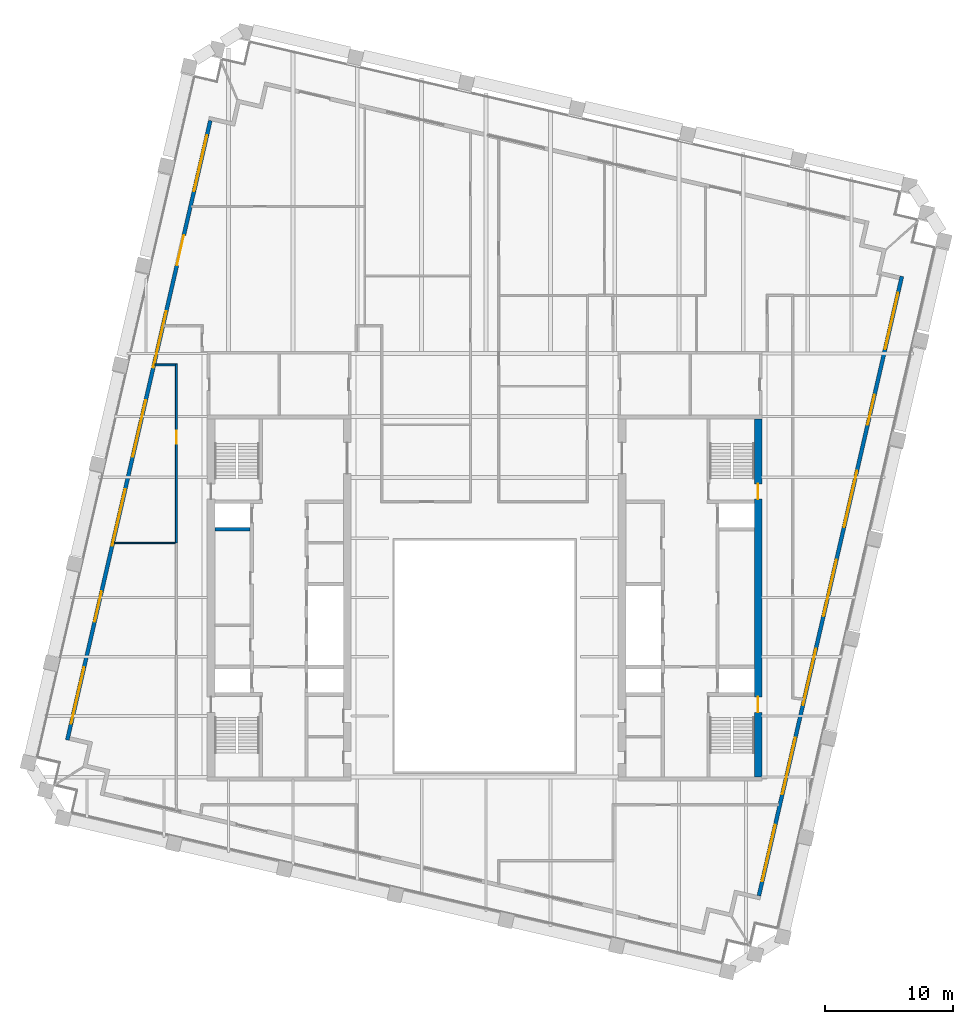
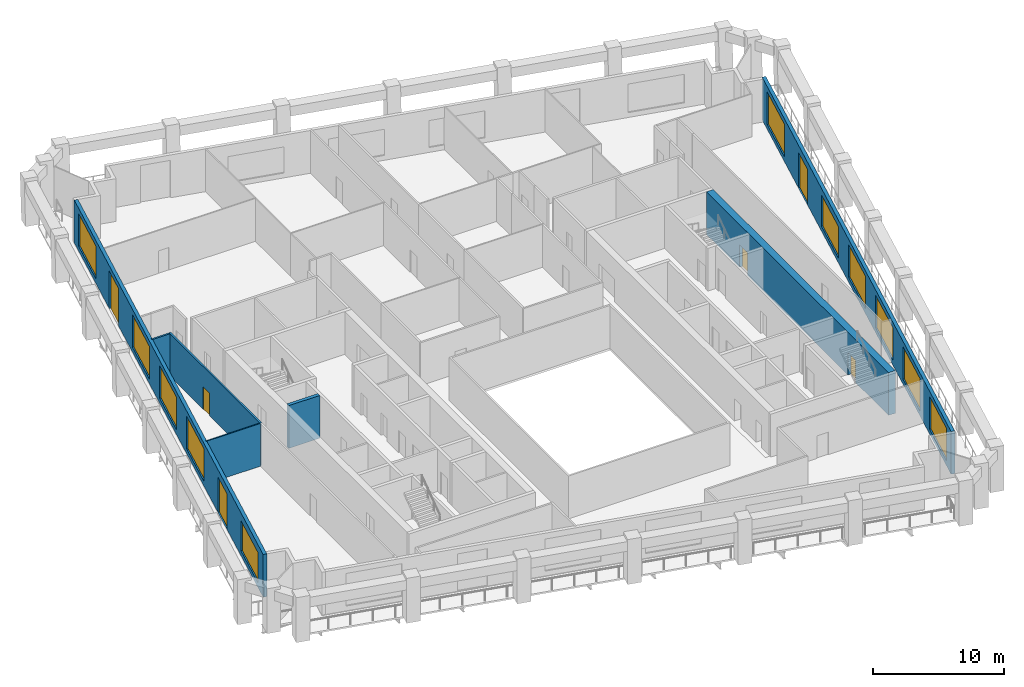
# One storey, part 6 of 11: 11 windows, 7 walls, 6 doors, 17 openings.
"""IFC4 building model written with IfcOpenShell, lengths in metres."""

from ifc_helpers import new_model, si_unit, direction, frame, frame_2d, origin, place, context, subcontext, project, spatial, rectangle, extrude, material, layer, layer_set, type_object, element, fill, save


model = new_model("IFC4")

# Units and contexts
model_context = context("Model", 3, precision=1e-05, world=origin(), true_north=direction((0.0, 1.0)))
body_context = subcontext(model_context, "Body", "Model", "MODEL_VIEW")
ifc_project = project(units=[si_unit("LENGTHUNIT", "METRE"), si_unit("AREAUNIT", "SQUARE_METRE"), si_unit("VOLUMEUNIT", "CUBIC_METRE"), si_unit("PLANEANGLEUNIT", "RADIAN"), si_unit("MASSUNIT", "GRAM", prefix="KILO")], contexts=[model_context])

# Site, building, storey
site_placement = place(None, origin())
site = spatial("IfcSite", under=ifc_project, at=site_placement, CompositionType="ELEMENT")
building_placement = place(site_placement, origin())
building = spatial("IfcBuilding", under=site, at=building_placement, Name="Ogive Exchange Tower", CompositionType="ELEMENT")
storey_placement = place(building_placement, frame((0.0, 0.0, 247.199951171875)))
storey = spatial("IfcBuildingStorey", under=building, at=storey_placement, Name="L53", CompositionType="ELEMENT", Elevation=247.199951171875)

# Wall, opening, door
ifc_material_1 = material(Name="Fire partition EI 60 150")
ifc_layer_1 = layer(ifc_material_1, 0.14990234375)
ifc_layer_set_1 = layer_set([ifc_layer_1], Name="Fire partition EI 60 150")
wall_type_1 = type_object("IfcWallType", Name="Fire partition EI 60 150", PredefinedType="PARTITIONING", material=ifc_layer_set_1)
wall_1_placement = place(storey_placement, frame((-24.0, 15.7900390625, 0.0), z_axis=(0.0, 0.0, 1.0), x_axis=(0.0, 1.0, 0.0)))
wall_1 = element("IfcWall", 1, at=wall_1_placement, inside=storey, type_object=wall_type_1, Name="L53-PWL-004", PredefinedType="PARTITIONING", context=body_context, shape_type="SweptSolid", body=[
    extrude(rectangle(XDim=13.945068359375, YDim=0.14990234375, at=frame_2d((6.97265625, 0.0))), origin(), (0.0, 0.0, 1.0), 4.0),
])
opening_1_placement = place(wall_1_placement, frame((7.719970703125, 0.0, 0.0)))
opening_1 = element("IfcOpeningElement", 2, at=opening_1_placement, cuts=wall_1, Name="Opening L53-I04", PredefinedType="OPENING", context=body_context, shape_type="SweptSolid", body=[
    extrude(rectangle(XDim=1.0, YDim=2.10009765625, at=frame_2d((0.5, 1.050048828125))), frame((0.0, 0.0849609375, 0.0), z_axis=(0.0, -1.0, 0.0), x_axis=(1.0, 0.0, 0.0)), (0.0, 0.0, 1.0), 0.169921875),
])
ifc_material_2 = material(Name="Fire door FD 30S 1000 x 2100")
door_type_1 = type_object("IfcDoorType", Name="Fire door FD 30S 1000 x 2100", OperationType="NOTDEFINED", PredefinedType="DOOR", material=ifc_material_2)
door_1_placement = place(opening_1_placement, origin())
door_1 = element("IfcDoor", 3, at=door_1_placement, inside=storey, type_object=door_type_1, Name="L53-IDR-004", ObjectType="DT3", OperationType="SINGLE_SWING_LEFT", OverallHeight=2.10009765625, OverallWidth=1.0, PredefinedType="DOOR", context=body_context, shape_type="SweptSolid", body=[
    extrude(rectangle(XDim=1.0, YDim=2.10009765625, at=frame_2d((0.5, 1.050048828125))), frame((0.0, 0.02490234375, 0.0), z_axis=(0.0, -1.0, 0.0), x_axis=(1.0, 0.0, 0.0)), (0.0, 0.0, 1.0), 0.050048828125),
])
fill(opening_1, door_1)

# Wall
wall_2_placement = place(storey_placement, frame((-24.074951171875, 29.659912109375, 0.0), z_axis=(0.0, 0.0, 1.0), x_axis=(-1.0, 0.0, 0.0)))
element("IfcWall", 4, at=wall_2_placement, inside=storey, type_object=wall_type_1, Name="L53-PWL-005", PredefinedType="PARTITIONING", context=body_context, shape_type="SweptSolid", body=[
    extrude(rectangle(XDim=1.60302734375, YDim=0.14990234375, at=frame_2d((0.801513671875, 0.0))), origin(), (0.0, 0.0, 1.0), 4.0),
])

# Wall, openings, door, windows
ifc_material_3 = material(Name="Precast concrete C40/50", Category="concrete")
ifc_layer_2 = layer(ifc_material_3, 0.300048828125)
ifc_layer_set_2 = layer_set([ifc_layer_2], Name="Limestone-faced wall 300")
wall_type_2 = type_object("IfcWallType", Name="Limestone-faced wall 300", PredefinedType="STANDARD", material=ifc_layer_set_2)
wall_3_placement = place(storey_placement, frame((21.35888671875, -11.67822265625, 0.0), z_axis=(0.0, 0.0, 1.0), x_axis=(0.224949198343, 0.974370493275, 0.0)))
wall_3 = element("IfcWall", 5, at=wall_3_placement, inside=storey, type_object=wall_type_2, Name="External wall E2", PredefinedType="STANDARD", context=body_context, shape_type="SweptSolid", body=[
    extrude(rectangle(XDim=49.5, YDim=0.300048828125, at=frame_2d((24.75, 0.0))), origin(), (0.0, 0.0, 1.0), 4.0),
])
opening_2_placement = place(wall_3_placement, frame((1.156982421875, 0.0, 0.449951171875)))
opening_2 = element("IfcOpeningElement", 6, at=opening_2_placement, cuts=wall_3, Name="Opening W1", PredefinedType="OPENING", context=body_context, shape_type="SweptSolid", body=[
    extrude(rectangle(XDim=4.5, YDim=3.050048828125, at=frame_2d((2.25, 1.52490234375))), frame((0.0, 0.159912109375, 0.0), z_axis=(0.0, -1.0, 0.0), x_axis=(1.0, 0.0, 0.0)), (0.0, 0.0, 1.0), 0.320068359375),
])
opening_3_placement = place(wall_3_placement, frame((8.121337890625, 0.0, 0.449951171875)))
opening_3 = element("IfcOpeningElement", 7, at=opening_3_placement, cuts=wall_3, Name="Opening W1", PredefinedType="OPENING", context=body_context, shape_type="SweptSolid", body=[
    extrude(rectangle(XDim=4.5, YDim=3.050048828125, at=frame_2d((2.25, 1.52490234375))), frame((0.0, 0.159912109375, 0.0), z_axis=(0.0, -1.0, 0.0), x_axis=(1.0, 0.0, 0.0)), (0.0, 0.0, 1.0), 0.320068359375),
])
opening_4_placement = place(wall_3_placement, frame((15.235595703125, 0.0, 0.449951171875)))
opening_4 = element("IfcOpeningElement", 8, at=opening_4_placement, cuts=wall_3, Name="Opening W1", PredefinedType="OPENING", context=body_context, shape_type="SweptSolid", body=[
    extrude(rectangle(XDim=4.5, YDim=3.050048828125, at=frame_2d((2.25, 1.52490234375))), frame((0.0, 0.159912109375, 0.0), z_axis=(0.0, -1.0, 0.0), x_axis=(1.0, 0.0, 0.0)), (0.0, 0.0, 1.0), 0.320068359375),
])
opening_5_placement = place(wall_3_placement, frame((22.35009765625, 0.0, 0.449951171875)))
opening_5 = element("IfcOpeningElement", 9, at=opening_5_placement, cuts=wall_3, Name="Opening W1", PredefinedType="OPENING", context=body_context, shape_type="SweptSolid", body=[
    extrude(rectangle(XDim=4.5, YDim=3.050048828125, at=frame_2d((2.25, 1.52490234375))), frame((0.0, 0.159912109375, 0.0), z_axis=(0.0, -1.0, 0.0), x_axis=(1.0, 0.0, 0.0)), (0.0, 0.0, 1.0), 0.320068359375),
])
opening_6_placement = place(wall_3_placement, frame((29.464111328125, 0.0, 0.449951171875)))
opening_6 = element("IfcOpeningElement", 10, at=opening_6_placement, cuts=wall_3, Name="Opening W1B", PredefinedType="OPENING", context=body_context, shape_type="SweptSolid", body=[
    extrude(rectangle(XDim=4.5, YDim=2.949951171875, at=frame_2d((2.25, 1.47509765625))), frame((0.0, 0.159912109375, 0.0), z_axis=(0.0, -1.0, 0.0), x_axis=(1.0, 0.0, 0.0)), (0.0, 0.0, 1.0), 0.320068359375),
])
opening_7_placement = place(wall_3_placement, frame((37.62841796875, 0.0, 0.0)))
opening_7 = element("IfcOpeningElement", 11, at=opening_7_placement, cuts=wall_3, Name="Opening D1C", PredefinedType="OPENING", context=body_context, shape_type="SweptSolid", body=[
    extrude(rectangle(XDim=2.39990234375, YDim=3.324951171875, at=frame_2d((1.199951171875, 1.66259765625))), frame((0.0, 0.159912109375, 0.0), z_axis=(0.0, -1.0, 0.0), x_axis=(1.0, 0.0, 0.0)), (0.0, 0.0, 1.0), 0.320068359375),
])
opening_8_placement = place(wall_3_placement, frame((43.69287109375, 0.0, 0.449951171875)))
opening_8 = element("IfcOpeningElement", 12, at=opening_8_placement, cuts=wall_3, Name="Opening W1", PredefinedType="OPENING", context=body_context, shape_type="SweptSolid", body=[
    extrude(rectangle(XDim=4.5, YDim=3.050048828125, at=frame_2d((2.25, 1.52490234375))), frame((0.0, 0.159912109375, 0.0), z_axis=(0.0, -1.0, 0.0), x_axis=(1.0, 0.0, 0.0)), (0.0, 0.0, 1.0), 0.320068359375),
])
ifc_material_4 = material(Name="Clear glass in bronze frame", Category="glass")
door_type_2 = type_object("IfcDoorType", Name="Sliding loggia door 2400 x 3325", OperationType="DOUBLE_DOOR_SLIDING", PredefinedType="DOOR", material=ifc_material_4)
door_2_placement = place(opening_7_placement, origin())
door_2 = element("IfcDoor", 13, at=door_2_placement, inside=storey, type_object=door_type_2, Name="Loggia door E05", OperationType="DOUBLE_DOOR_SLIDING", OverallHeight=3.324951171875, OverallWidth=2.39990234375, PredefinedType="DOOR", context=body_context, shape_type="SweptSolid", body=[
    extrude(rectangle(XDim=2.39990234375, YDim=3.324951171875, at=frame_2d((1.199951171875, 1.66259765625))), frame((0.0, 0.02490234375, 0.0), z_axis=(0.0, -1.0, 0.0), x_axis=(1.0, 0.0, 0.0)), (0.0, 0.0, 1.0), 0.050048828125),
])
fill(opening_7, door_2)
window_type_1 = type_object("IfcWindowType", Name="Twin lancet window 4500 x 2950", PartitioningType="DOUBLE_PANEL_VERTICAL", PredefinedType="WINDOW", material=ifc_material_4)
window_1_placement = place(opening_6_placement, origin())
window_1 = element("IfcWindow", 14, at=window_1_placement, inside=storey, type_object=window_type_1, Name="Window E04", OverallHeight=2.949951171875, OverallWidth=4.5, PartitioningType="DOUBLE_PANEL_VERTICAL", PredefinedType="WINDOW", context=body_context, shape_type="SweptSolid", body=[
    extrude(rectangle(XDim=4.5, YDim=2.949951171875, at=frame_2d((2.25, 1.47509765625))), frame((0.0, 0.030029296875, 0.0), z_axis=(0.0, -1.0, 0.0), x_axis=(1.0, 0.0, 0.0)), (0.0, 0.0, 1.0), 0.06005859375),
])
fill(opening_6, window_1)
window_type_2 = type_object("IfcWindowType", Name="Twin lancet window 4500 x 3050", PartitioningType="DOUBLE_PANEL_VERTICAL", PredefinedType="WINDOW", material=ifc_material_4)
window_2_placement = place(opening_2_placement, origin())
window_2 = element("IfcWindow", 15, at=window_2_placement, inside=storey, type_object=window_type_2, Name="Window E00", OverallHeight=3.050048828125, OverallWidth=4.5, PartitioningType="DOUBLE_PANEL_VERTICAL", PredefinedType="WINDOW", context=body_context, shape_type="SweptSolid", body=[
    extrude(rectangle(XDim=4.5, YDim=3.050048828125, at=frame_2d((2.25, 1.52490234375))), frame((0.0, 0.030029296875, 0.0), z_axis=(0.0, -1.0, 0.0), x_axis=(1.0, 0.0, 0.0)), (0.0, 0.0, 1.0), 0.06005859375),
])
fill(opening_2, window_2)
window_3_placement = place(opening_3_placement, origin())
window_3 = element("IfcWindow", 16, at=window_3_placement, inside=storey, type_object=window_type_2, Name="Window E01", OverallHeight=3.050048828125, OverallWidth=4.5, PartitioningType="DOUBLE_PANEL_VERTICAL", PredefinedType="WINDOW", context=body_context, shape_type="SweptSolid", body=[
    extrude(rectangle(XDim=4.5, YDim=3.050048828125, at=frame_2d((2.25, 1.52490234375))), frame((0.0, 0.030029296875, 0.0), z_axis=(0.0, -1.0, 0.0), x_axis=(1.0, 0.0, 0.0)), (0.0, 0.0, 1.0), 0.06005859375),
])
fill(opening_3, window_3)
window_4_placement = place(opening_4_placement, origin())
window_4 = element("IfcWindow", 17, at=window_4_placement, inside=storey, type_object=window_type_2, Name="Window E02", OverallHeight=3.050048828125, OverallWidth=4.5, PartitioningType="DOUBLE_PANEL_VERTICAL", PredefinedType="WINDOW", context=body_context, shape_type="SweptSolid", body=[
    extrude(rectangle(XDim=4.5, YDim=3.050048828125, at=frame_2d((2.25, 1.52490234375))), frame((0.0, 0.030029296875, 0.0), z_axis=(0.0, -1.0, 0.0), x_axis=(1.0, 0.0, 0.0)), (0.0, 0.0, 1.0), 0.06005859375),
])
fill(opening_4, window_4)
window_5_placement = place(opening_5_placement, origin())
window_5 = element("IfcWindow", 18, at=window_5_placement, inside=storey, type_object=window_type_2, Name="Window E03", OverallHeight=3.050048828125, OverallWidth=4.5, PartitioningType="DOUBLE_PANEL_VERTICAL", PredefinedType="WINDOW", context=body_context, shape_type="SweptSolid", body=[
    extrude(rectangle(XDim=4.5, YDim=3.050048828125, at=frame_2d((2.25, 1.52490234375))), frame((0.0, 0.030029296875, 0.0), z_axis=(0.0, -1.0, 0.0), x_axis=(1.0, 0.0, 0.0)), (0.0, 0.0, 1.0), 0.06005859375),
])
fill(opening_5, window_5)
window_6_placement = place(opening_8_placement, origin())
window_6 = element("IfcWindow", 19, at=window_6_placement, inside=storey, type_object=window_type_2, Name="Window E06", OverallHeight=3.050048828125, OverallWidth=4.5, PartitioningType="DOUBLE_PANEL_VERTICAL", PredefinedType="WINDOW", context=body_context, shape_type="SweptSolid", body=[
    extrude(rectangle(XDim=4.5, YDim=3.050048828125, at=frame_2d((2.25, 1.52490234375))), frame((0.0, 0.030029296875, 0.0), z_axis=(0.0, -1.0, 0.0), x_axis=(1.0, 0.0, 0.0)), (0.0, 0.0, 1.0), 0.06005859375),
])
fill(opening_8, window_6)

# Wall, openings, doors, windows
wall_4_placement = place(storey_placement, frame((-21.35888671875, 48.67822265625, 0.0), z_axis=(0.0, 0.0, 1.0), x_axis=(-0.224949198343, -0.974370493275, 0.0)))
wall_4 = element("IfcWall", 20, at=wall_4_placement, inside=storey, type_object=wall_type_2, Name="External wall W4", PredefinedType="STANDARD", context=body_context, shape_type="SweptSolid", body=[
    extrude(rectangle(XDim=49.5, YDim=0.300048828125, at=frame_2d((24.75, 0.0))), origin(), (0.0, 0.0, 1.0), 4.0),
])
opening_9_placement = place(wall_4_placement, frame((1.156982421875, 0.0, 0.449951171875)))
opening_9 = element("IfcOpeningElement", 21, at=opening_9_placement, cuts=wall_4, Name="Opening W1", PredefinedType="OPENING", context=body_context, shape_type="SweptSolid", body=[
    extrude(rectangle(XDim=4.5, YDim=3.050048828125, at=frame_2d((2.25, 1.52490234375))), frame((0.0, 0.159912109375, 0.0), z_axis=(0.0, -1.0, 0.0), x_axis=(1.0, 0.0, 0.0)), (0.0, 0.0, 1.0), 0.320068359375),
])
opening_10_placement = place(wall_4_placement, frame((9.17138671875, 0.0, 0.0)))
opening_10 = element("IfcOpeningElement", 22, at=opening_10_placement, cuts=wall_4, Name="Opening D1", PredefinedType="OPENING", context=body_context, shape_type="SweptSolid", body=[
    extrude(rectangle(XDim=2.39990234375, YDim=3.5, at=frame_2d((1.199951171875, 1.75))), frame((0.0, 0.159912109375, 0.0), z_axis=(0.0, -1.0, 0.0), x_axis=(1.0, 0.0, 0.0)), (0.0, 0.0, 1.0), 0.320068359375),
])
opening_11_placement = place(wall_4_placement, frame((15.235595703125, 0.0, 0.449951171875)))
opening_11 = element("IfcOpeningElement", 23, at=opening_11_placement, cuts=wall_4, Name="Opening W1", PredefinedType="OPENING", context=body_context, shape_type="SweptSolid", body=[
    extrude(rectangle(XDim=4.5, YDim=3.050048828125, at=frame_2d((2.25, 1.52490234375))), frame((0.0, 0.159912109375, 0.0), z_axis=(0.0, -1.0, 0.0), x_axis=(1.0, 0.0, 0.0)), (0.0, 0.0, 1.0), 0.320068359375),
])
opening_12_placement = place(wall_4_placement, frame((22.35009765625, 0.0, 0.449951171875)))
opening_12 = element("IfcOpeningElement", 24, at=opening_12_placement, cuts=wall_4, Name="Opening W1", PredefinedType="OPENING", context=body_context, shape_type="SweptSolid", body=[
    extrude(rectangle(XDim=4.5, YDim=3.050048828125, at=frame_2d((2.25, 1.52490234375))), frame((0.0, 0.159912109375, 0.0), z_axis=(0.0, -1.0, 0.0), x_axis=(1.0, 0.0, 0.0)), (0.0, 0.0, 1.0), 0.320068359375),
])
opening_13_placement = place(wall_4_placement, frame((29.464111328125, 0.0, 0.449951171875)))
opening_13 = element("IfcOpeningElement", 25, at=opening_13_placement, cuts=wall_4, Name="Opening W1", PredefinedType="OPENING", context=body_context, shape_type="SweptSolid", body=[
    extrude(rectangle(XDim=4.5, YDim=3.050048828125, at=frame_2d((2.25, 1.52490234375))), frame((0.0, 0.159912109375, 0.0), z_axis=(0.0, -1.0, 0.0), x_axis=(1.0, 0.0, 0.0)), (0.0, 0.0, 1.0), 0.320068359375),
])
opening_14_placement = place(wall_4_placement, frame((37.62841796875, 0.0, 0.0)))
opening_14 = element("IfcOpeningElement", 26, at=opening_14_placement, cuts=wall_4, Name="Opening D1C", PredefinedType="OPENING", context=body_context, shape_type="SweptSolid", body=[
    extrude(rectangle(XDim=2.39990234375, YDim=3.324951171875, at=frame_2d((1.199951171875, 1.66259765625))), frame((0.0, 0.159912109375, 0.0), z_axis=(0.0, -1.0, 0.0), x_axis=(1.0, 0.0, 0.0)), (0.0, 0.0, 1.0), 0.320068359375),
])
opening_15_placement = place(wall_4_placement, frame((43.69287109375, 0.0, 0.449951171875)))
opening_15 = element("IfcOpeningElement", 27, at=opening_15_placement, cuts=wall_4, Name="Opening W1E", PredefinedType="OPENING", context=body_context, shape_type="SweptSolid", body=[
    extrude(rectangle(XDim=4.5, YDim=2.824951171875, at=frame_2d((2.25, 1.41259765625))), frame((0.0, 0.159912109375, 0.0), z_axis=(0.0, -1.0, 0.0), x_axis=(1.0, 0.0, 0.0)), (0.0, 0.0, 1.0), 0.320068359375),
])
door_3_placement = place(opening_14_placement, origin())
door_3 = element("IfcDoor", 28, at=door_3_placement, inside=storey, type_object=door_type_2, Name="Loggia door W05", OperationType="DOUBLE_DOOR_SLIDING", OverallHeight=3.324951171875, OverallWidth=2.39990234375, PredefinedType="DOOR", context=body_context, shape_type="SweptSolid", body=[
    extrude(rectangle(XDim=2.39990234375, YDim=3.324951171875, at=frame_2d((1.199951171875, 1.66259765625))), frame((0.0, 0.02490234375, 0.0), z_axis=(0.0, -1.0, 0.0), x_axis=(1.0, 0.0, 0.0)), (0.0, 0.0, 1.0), 0.050048828125),
])
fill(opening_14, door_3)
door_type_3 = type_object("IfcDoorType", Name="Sliding loggia door 2400 x 3500", OperationType="DOUBLE_DOOR_SLIDING", PredefinedType="DOOR", material=ifc_material_4)
door_4_placement = place(opening_10_placement, origin())
door_4 = element("IfcDoor", 29, at=door_4_placement, inside=storey, type_object=door_type_3, Name="Loggia door W01", OperationType="DOUBLE_DOOR_SLIDING", OverallHeight=3.5, OverallWidth=2.39990234375, PredefinedType="DOOR", context=body_context, shape_type="SweptSolid", body=[
    extrude(rectangle(XDim=2.39990234375, YDim=3.5, at=frame_2d((1.199951171875, 1.75))), frame((0.0, 0.02490234375, 0.0), z_axis=(0.0, -1.0, 0.0), x_axis=(1.0, 0.0, 0.0)), (0.0, 0.0, 1.0), 0.050048828125),
])
fill(opening_10, door_4)
window_type_3 = type_object("IfcWindowType", Name="Twin lancet window 4500 x 2825", PartitioningType="DOUBLE_PANEL_VERTICAL", PredefinedType="WINDOW", material=ifc_material_4)
window_7_placement = place(opening_15_placement, origin())
window_7 = element("IfcWindow", 30, at=window_7_placement, inside=storey, type_object=window_type_3, Name="Window W06", OverallHeight=2.824951171875, OverallWidth=4.5, PartitioningType="DOUBLE_PANEL_VERTICAL", PredefinedType="WINDOW", context=body_context, shape_type="SweptSolid", body=[
    extrude(rectangle(XDim=4.5, YDim=2.824951171875, at=frame_2d((2.25, 1.41259765625))), frame((0.0, 0.030029296875, 0.0), z_axis=(0.0, -1.0, 0.0), x_axis=(1.0, 0.0, 0.0)), (0.0, 0.0, 1.0), 0.06005859375),
])
fill(opening_15, window_7)
window_8_placement = place(opening_9_placement, origin())
window_8 = element("IfcWindow", 31, at=window_8_placement, inside=storey, type_object=window_type_2, Name="Window W00", OverallHeight=3.050048828125, OverallWidth=4.5, PartitioningType="DOUBLE_PANEL_VERTICAL", PredefinedType="WINDOW", context=body_context, shape_type="SweptSolid", body=[
    extrude(rectangle(XDim=4.5, YDim=3.050048828125, at=frame_2d((2.25, 1.52490234375))), frame((0.0, 0.030029296875, 0.0), z_axis=(0.0, -1.0, 0.0), x_axis=(1.0, 0.0, 0.0)), (0.0, 0.0, 1.0), 0.06005859375),
])
fill(opening_9, window_8)
window_9_placement = place(opening_11_placement, origin())
window_9 = element("IfcWindow", 32, at=window_9_placement, inside=storey, type_object=window_type_2, Name="Window W02", OverallHeight=3.050048828125, OverallWidth=4.5, PartitioningType="DOUBLE_PANEL_VERTICAL", PredefinedType="WINDOW", context=body_context, shape_type="SweptSolid", body=[
    extrude(rectangle(XDim=4.5, YDim=3.050048828125, at=frame_2d((2.25, 1.52490234375))), frame((0.0, 0.030029296875, 0.0), z_axis=(0.0, -1.0, 0.0), x_axis=(1.0, 0.0, 0.0)), (0.0, 0.0, 1.0), 0.06005859375),
])
fill(opening_11, window_9)
window_10_placement = place(opening_12_placement, origin())
window_10 = element("IfcWindow", 33, at=window_10_placement, inside=storey, type_object=window_type_2, Name="Window W03", OverallHeight=3.050048828125, OverallWidth=4.5, PartitioningType="DOUBLE_PANEL_VERTICAL", PredefinedType="WINDOW", context=body_context, shape_type="SweptSolid", body=[
    extrude(rectangle(XDim=4.5, YDim=3.050048828125, at=frame_2d((2.25, 1.52490234375))), frame((0.0, 0.030029296875, 0.0), z_axis=(0.0, -1.0, 0.0), x_axis=(1.0, 0.0, 0.0)), (0.0, 0.0, 1.0), 0.06005859375),
])
fill(opening_12, window_10)
window_11_placement = place(opening_13_placement, origin())
window_11 = element("IfcWindow", 34, at=window_11_placement, inside=storey, type_object=window_type_2, Name="Window W04", OverallHeight=3.050048828125, OverallWidth=4.5, PartitioningType="DOUBLE_PANEL_VERTICAL", PredefinedType="WINDOW", context=body_context, shape_type="SweptSolid", body=[
    extrude(rectangle(XDim=4.5, YDim=3.050048828125, at=frame_2d((2.25, 1.52490234375))), frame((0.0, 0.030029296875, 0.0), z_axis=(0.0, -1.0, 0.0), x_axis=(1.0, 0.0, 0.0)), (0.0, 0.0, 1.0), 0.06005859375),
])
fill(opening_13, window_11)

# Walls
ifc_material_5 = material(Name="Partition 100 gypsum")
ifc_layer_3 = layer(ifc_material_5, 0.10009765625)
ifc_layer_set_3 = layer_set([ifc_layer_3], Name="Partition 100 gypsum")
wall_type_3 = type_object("IfcWallType", Name="Partition 100 gypsum", PredefinedType="PARTITIONING", material=ifc_layer_set_3)
wall_5_placement = place(storey_placement, frame((-24.074951171875, 15.7900390625, 0.0), z_axis=(0.0, 0.0, 1.0), x_axis=(-1.0, 0.0, 0.0)))
element("IfcWall", 35, at=wall_5_placement, inside=storey, type_object=wall_type_3, Name="L53-PWL-003", PredefinedType="PARTITIONING", context=body_context, shape_type="SweptSolid", body=[
    extrude(rectangle(XDim=4.804931640625, YDim=0.10009765625, at=frame_2d((2.40234375, 0.0))), origin(), (0.0, 0.0, 1.0), 4.0),
])
ifc_material_6 = material(Name="Concrete C70/85", Category="concrete")
ifc_layer_4 = layer(ifc_material_6, 0.300048828125)
ifc_layer_set_4 = layer_set([ifc_layer_4], Name="RC core wall 300 C70/85")
wall_type_4 = type_object("IfcWallType", Name="RC core wall 300 C70/85", PredefinedType="SHEAR", material=ifc_layer_set_4)
wall_6_placement = place(storey_placement, frame((-21.0, 16.857177734375, 0.0), z_axis=(0.0, 0.0, 1.0), x_axis=(1.0, 0.0, 0.0)))
element("IfcWall", 36, at=wall_6_placement, inside=storey, type_object=wall_type_4, Name="W row A divider 6", PredefinedType="SHEAR", context=body_context, shape_type="SweptSolid", body=[
    extrude(rectangle(XDim=2.75, YDim=0.300048828125, at=frame_2d((1.375, 0.0))), origin(), (0.0, 0.0, 1.0), 4.0),
])

# Wall, openings, doors
ifc_layer_5 = layer(ifc_material_6, 0.60009765625)
ifc_layer_set_5 = layer_set([ifc_layer_5], Name="RC core wall 600 C70/85")
wall_type_5 = type_object("IfcWallType", Name="RC core wall 600 C70/85", PredefinedType="SHEAR", material=ifc_layer_set_5)
wall_7_placement = place(storey_placement, frame((21.300048828125, -2.449951171875, 0.0), z_axis=(0.0, 0.0, 1.0), x_axis=(0.0, 1.0, 0.0)))
wall_7 = element("IfcWall", 37, at=wall_7_placement, inside=storey, type_object=wall_type_5, Name="E outer wall", PredefinedType="SHEAR", context=body_context, shape_type="SweptSolid", body=[
    extrude(rectangle(XDim=27.89990234375, YDim=0.60009765625, at=frame_2d((13.949951171875, 0.0))), origin(), (0.0, 0.0, 1.0), 4.0),
])
opening_16_placement = place(wall_7_placement, frame((5.050048828125, 0.0, 0.0)))
opening_16 = element("IfcOpeningElement", 38, at=opening_16_placement, cuts=wall_7, Name="Opening L53-C32", PredefinedType="OPENING", context=body_context, shape_type="SweptSolid", body=[
    extrude(rectangle(XDim=1.199951171875, YDim=2.10009765625, at=frame_2d((0.60009765625, 1.050048828125))), frame((0.0, 0.31005859375, 0.0), z_axis=(0.0, -1.0, 0.0), x_axis=(1.0, 0.0, 0.0)), (0.0, 0.0, 1.0), 0.6201171875),
])
opening_17_placement = place(wall_7_placement, frame((21.64990234375, 0.0, 0.0)))
opening_17 = element("IfcOpeningElement", 39, at=opening_17_placement, cuts=wall_7, Name="Opening L53-C34", PredefinedType="OPENING", context=body_context, shape_type="SweptSolid", body=[
    extrude(rectangle(XDim=1.199951171875, YDim=2.10009765625, at=frame_2d((0.60009765625, 1.050048828125))), frame((0.0, 0.31005859375, 0.0), z_axis=(0.0, -1.0, 0.0), x_axis=(1.0, 0.0, 0.0)), (0.0, 0.0, 1.0), 0.6201171875),
])
ifc_material_7 = material(Name="Steel fire door", Category="steel")
door_type_4 = type_object("IfcDoorType", Name="Stair door FD90 1200 x 2100", OperationType="NOTDEFINED", PredefinedType="DOOR", material=ifc_material_7)
door_5_placement = place(opening_16_placement, frame((1.199951171875, 0.0, 0.0), z_axis=(0.0, 0.0, 1.0), x_axis=(-1.0, 0.0, 0.0)))
door_5 = element("IfcDoor", 40, at=door_5_placement, inside=storey, type_object=door_type_4, Name="Stair door", ObjectType="CD5", OperationType="SINGLE_SWING_RIGHT", OverallHeight=2.10009765625, OverallWidth=1.199951171875, PredefinedType="DOOR", context=body_context, shape_type="SweptSolid", body=[
    extrude(rectangle(XDim=1.199951171875, YDim=2.10009765625, at=frame_2d((0.60009765625, 1.050048828125))), frame((0.0, 0.02490234375, 0.0), z_axis=(0.0, -1.0, 0.0), x_axis=(1.0, 0.0, 0.0)), (0.0, 0.0, 1.0), 0.050048828125),
])
fill(opening_16, door_5)
door_6_placement = place(opening_17_placement, frame((1.199951171875, 0.0, 0.0), z_axis=(0.0, 0.0, 1.0), x_axis=(-1.0, 0.0, 0.0)))
door_6 = element("IfcDoor", 41, at=door_6_placement, inside=storey, type_object=door_type_4, Name="Stair door", ObjectType="CD5", OperationType="SINGLE_SWING_LEFT", OverallHeight=2.10009765625, OverallWidth=1.199951171875, PredefinedType="DOOR", context=body_context, shape_type="SweptSolid", body=[
    extrude(rectangle(XDim=1.199951171875, YDim=2.10009765625, at=frame_2d((0.60009765625, 1.050048828125))), frame((0.0, 0.02490234375, 0.0), z_axis=(0.0, -1.0, 0.0), x_axis=(1.0, 0.0, 0.0)), (0.0, 0.0, 1.0), 0.050048828125),
])
fill(opening_17, door_6)

save(model, "model.ifc")
